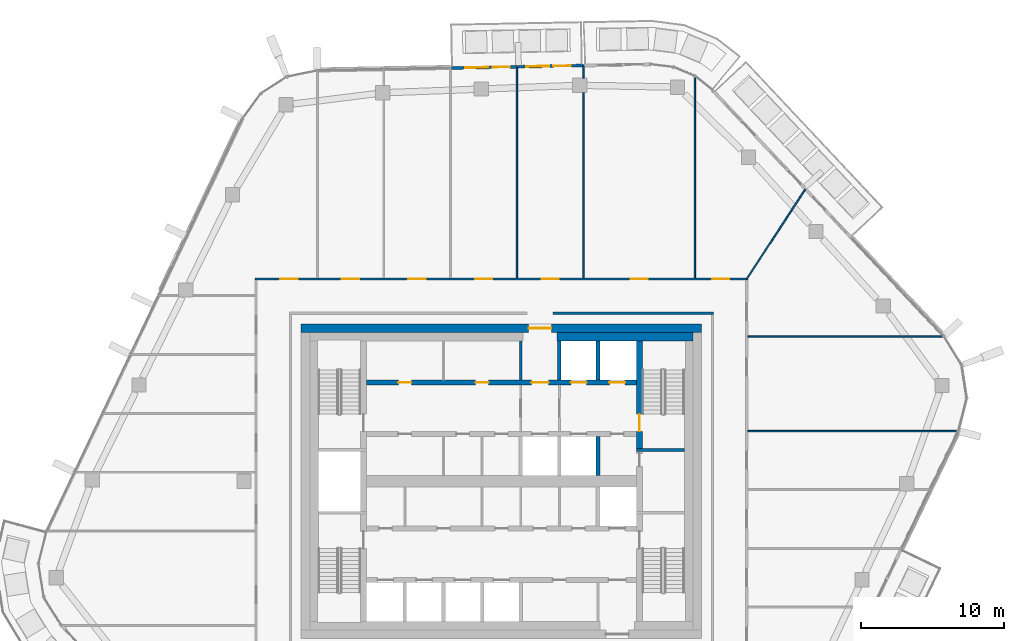
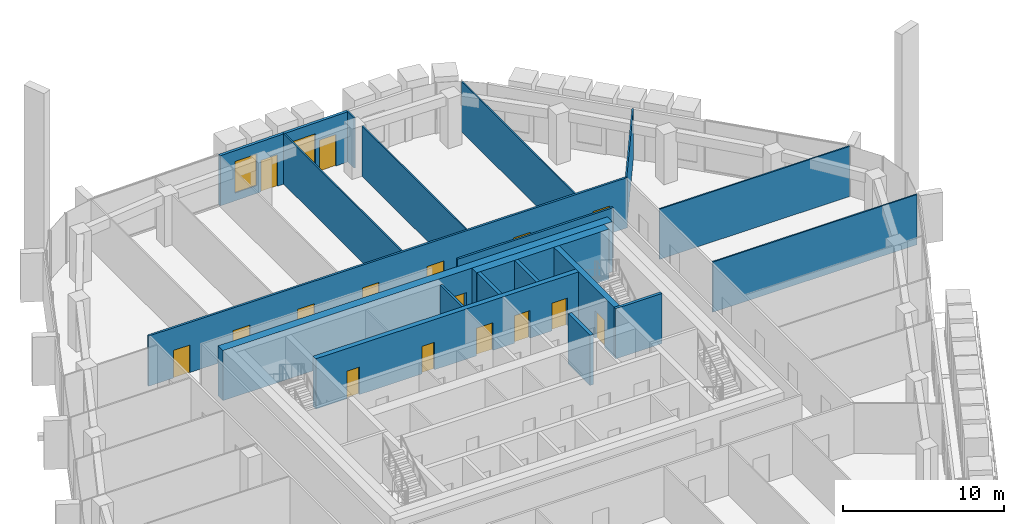
# One storey, part 16 of 24: 19 walls, 16 doors, 2 windows, 18 openings.
"""IFC4 building model written with IfcOpenShell, lengths in metres."""

from ifc_helpers import new_model, si_unit, direction, frame, frame_2d, origin, place, context, subcontext, project, spatial, rectangle, extrude, material, layer, layer_set, type_object, element, fill, save


model = new_model("IFC4")

# Units and contexts
model_context = context("Model", 3, precision=1e-05, world=origin(), true_north=direction((0.0, 1.0)))
body_context = subcontext(model_context, "Body", "Model", "MODEL_VIEW")
ifc_project = project(units=[si_unit("LENGTHUNIT", "METRE"), si_unit("AREAUNIT", "SQUARE_METRE"), si_unit("VOLUMEUNIT", "CUBIC_METRE"), si_unit("PLANEANGLEUNIT", "RADIAN"), si_unit("MASSUNIT", "GRAM", prefix="KILO")], contexts=[model_context])

# Site, building, storey
site_placement = place(None, origin())
site = spatial("IfcSite", under=ifc_project, at=site_placement, CompositionType="ELEMENT")
building_placement = place(site_placement, origin())
building = spatial("IfcBuilding", under=site, at=building_placement, Name="Dongbaek Canopy Tower", CompositionType="ELEMENT")
storey_placement = place(building_placement, frame((0.0, 0.0, 294.199951171875)))
storey = spatial("IfcBuildingStorey", under=building, at=storey_placement, Name="L62", CompositionType="ELEMENT", Elevation=294.199951171875)

# Wall, openings, doors
ifc_material_1 = material(Name="Concrete C60/75", Category="concrete")
ifc_layer_1 = layer(ifc_material_1, 0.35009765625)
ifc_layer_set_1 = layer_set([ifc_layer_1], Name="Core lobby wall 350 Concrete C60/75")
wall_type_1 = type_object("IfcWallType", Name="Core lobby wall 350 Concrete C60/75", PredefinedType="SHEAR", material=ifc_layer_set_1)
wall_1_placement = place(storey_placement, frame((-9.449951171875, 6.89990234375, 0.0), z_axis=(0.0, 0.0, 1.0), x_axis=(1.0, 0.0, 0.0)))
wall_1 = element("IfcWall", 1, at=wall_1_placement, inside=storey, type_object=wall_type_1, Name="Core wall", PredefinedType="SHEAR", context=body_context, shape_type="SweptSolid", body=[
    extrude(rectangle(XDim=18.89990234375, YDim=0.35009765625, at=frame_2d((9.449951171875, 0.0))), origin(), (0.0, 0.0, 1.0), 3.820068359375),
])
opening_1_placement = place(wall_1_placement, frame((11.550048828125, 0.0, 0.0)))
opening_1 = element("IfcOpeningElement", 2, at=opening_1_placement, cuts=wall_1, Name="Opening L62-D028", PredefinedType="OPENING", context=body_context, shape_type="SweptSolid", body=[
    extrude(rectangle(XDim=1.199951171875, YDim=2.10009765625, at=frame_2d((0.60009765625, 1.050048828125))), frame((0.0, 0.18505859375, 0.0), z_axis=(0.0, -1.0, 0.0), x_axis=(1.0, 0.0, 0.0)), (0.0, 0.0, 1.0), 0.3701171875),
])
opening_2_placement = place(wall_1_placement, frame((14.300048828125, 0.0, 0.0)))
opening_2 = element("IfcOpeningElement", 3, at=opening_2_placement, cuts=wall_1, Name="Opening L62-D029", PredefinedType="OPENING", context=body_context, shape_type="SweptSolid", body=[
    extrude(rectangle(XDim=1.10009765625, YDim=2.10009765625, at=frame_2d((0.550048828125, 1.050048828125))), frame((0.0, 0.18505859375, 0.0), z_axis=(0.0, -1.0, 0.0), x_axis=(1.0, 0.0, 0.0)), (0.0, 0.0, 1.0), 0.3701171875),
])
opening_3_placement = place(wall_1_placement, frame((17.0, 0.0, 0.0)))
opening_3 = element("IfcOpeningElement", 4, at=opening_3_placement, cuts=wall_1, Name="Opening L62-D030", PredefinedType="OPENING", context=body_context, shape_type="SweptSolid", body=[
    extrude(rectangle(XDim=1.10009765625, YDim=2.10009765625, at=frame_2d((0.550048828125, 1.050048828125))), frame((0.0, 0.18505859375, 0.0), z_axis=(0.0, -1.0, 0.0), x_axis=(1.0, 0.0, 0.0)), (0.0, 0.0, 1.0), 0.3701171875),
])
opening_4_placement = place(wall_1_placement, frame((2.25, 0.0, 0.0)))
opening_4 = element("IfcOpeningElement", 5, at=opening_4_placement, cuts=wall_1, Name="Opening L62-D041", PredefinedType="OPENING", context=body_context, shape_type="SweptSolid", body=[
    extrude(rectangle(XDim=0.89990234375, YDim=2.10009765625, at=frame_2d((0.449951171875, 1.050048828125))), frame((0.0, 0.18505859375, 0.0), z_axis=(0.0, -1.0, 0.0), x_axis=(1.0, 0.0, 0.0)), (0.0, 0.0, 1.0), 0.3701171875),
])
opening_5_placement = place(wall_1_placement, frame((7.64990234375, 0.0, 0.0)))
opening_5 = element("IfcOpeningElement", 6, at=opening_5_placement, cuts=wall_1, Name="Opening L62-D042", PredefinedType="OPENING", context=body_context, shape_type="SweptSolid", body=[
    extrude(rectangle(XDim=0.89990234375, YDim=2.10009765625, at=frame_2d((0.449951171875, 1.050048828125))), frame((0.0, 0.18505859375, 0.0), z_axis=(0.0, -1.0, 0.0), x_axis=(1.0, 0.0, 0.0)), (0.0, 0.0, 1.0), 0.3701171875),
])
ifc_material_2 = material(Name="Steel", Category="steel")
door_type_1 = type_object("IfcDoorType", Name="Core room door 900 x 2100", OperationType="SINGLE_SWING_LEFT", PredefinedType="DOOR", material=ifc_material_2)
door_1_placement = place(opening_4_placement, origin())
door_1 = element("IfcDoor", 7, at=door_1_placement, inside=storey, type_object=door_type_1, Name="Door L62-D041", OperationType="SINGLE_SWING_RIGHT", OverallHeight=2.10009765625, OverallWidth=0.89990234375, PredefinedType="DOOR", context=body_context, shape_type="SweptSolid", body=[
    extrude(rectangle(XDim=0.89990234375, YDim=2.10009765625, at=frame_2d((0.449951171875, 1.050048828125))), frame((0.0, 0.02490234375, 0.0), z_axis=(0.0, -1.0, 0.0), x_axis=(1.0, 0.0, 0.0)), (0.0, 0.0, 1.0), 0.050048828125),
])
fill(opening_4, door_1)
door_2_placement = place(opening_5_placement, origin())
door_2 = element("IfcDoor", 8, at=door_2_placement, inside=storey, type_object=door_type_1, Name="Door L62-D042", OperationType="SINGLE_SWING_LEFT", OverallHeight=2.10009765625, OverallWidth=0.89990234375, PredefinedType="DOOR", context=body_context, shape_type="SweptSolid", body=[
    extrude(rectangle(XDim=0.89990234375, YDim=2.10009765625, at=frame_2d((0.449951171875, 1.050048828125))), frame((0.0, 0.02490234375, 0.0), z_axis=(0.0, -1.0, 0.0), x_axis=(1.0, 0.0, 0.0)), (0.0, 0.0, 1.0), 0.050048828125),
])
fill(opening_5, door_2)
ifc_material_3 = material(Name="Steel", Category="steel")
door_type_2 = type_object("IfcDoorType", Name="Fire lobby door 1200 x 2100", OperationType="SINGLE_SWING_LEFT", PredefinedType="DOOR", material=ifc_material_3)
door_3_placement = place(opening_1_placement, origin())
door_3 = element("IfcDoor", 9, at=door_3_placement, inside=storey, type_object=door_type_2, Name="Door L62-D028", OperationType="SINGLE_SWING_LEFT", OverallHeight=2.10009765625, OverallWidth=1.199951171875, PredefinedType="DOOR", context=body_context, shape_type="SweptSolid", body=[
    extrude(rectangle(XDim=1.199951171875, YDim=2.10009765625, at=frame_2d((0.60009765625, 1.050048828125))), frame((0.0, 0.02490234375, 0.0), z_axis=(0.0, -1.0, 0.0), x_axis=(1.0, 0.0, 0.0)), (0.0, 0.0, 1.0), 0.050048828125),
])
fill(opening_1, door_3)
ifc_material_4 = material(Name="Stainless steel", Category="steel")
door_type_3 = type_object("IfcDoorType", Name="Lift landing door 1100 x 2100", OperationType="DOUBLE_DOOR_SLIDING", PredefinedType="DOOR", material=ifc_material_4)
door_4_placement = place(opening_2_placement, origin())
door_4 = element("IfcDoor", 10, at=door_4_placement, inside=storey, type_object=door_type_3, Name="Landing door FF1", OperationType="DOUBLE_DOOR_SLIDING", OverallHeight=2.10009765625, OverallWidth=1.10009765625, PredefinedType="DOOR", context=body_context, shape_type="SweptSolid", body=[
    extrude(rectangle(XDim=1.10009765625, YDim=2.10009765625, at=frame_2d((0.550048828125, 1.050048828125))), frame((0.0, 0.02490234375, 0.0), z_axis=(0.0, -1.0, 0.0), x_axis=(1.0, 0.0, 0.0)), (0.0, 0.0, 1.0), 0.050048828125),
])
fill(opening_2, door_4)
door_5_placement = place(opening_3_placement, origin())
door_5 = element("IfcDoor", 11, at=door_5_placement, inside=storey, type_object=door_type_3, Name="Landing door FF2", OperationType="DOUBLE_DOOR_SLIDING", OverallHeight=2.10009765625, OverallWidth=1.10009765625, PredefinedType="DOOR", context=body_context, shape_type="SweptSolid", body=[
    extrude(rectangle(XDim=1.10009765625, YDim=2.10009765625, at=frame_2d((0.550048828125, 1.050048828125))), frame((0.0, 0.02490234375, 0.0), z_axis=(0.0, -1.0, 0.0), x_axis=(1.0, 0.0, 0.0)), (0.0, 0.0, 1.0), 0.050048828125),
])
fill(opening_3, door_5)

# Wall, opening, door
ifc_material_5 = material(Name="Concrete C80/95", Category="concrete")
ifc_layer_2 = layer(ifc_material_5, 0.60009765625)
ifc_layer_set_2 = layer_set([ifc_layer_2], Name="Core outer wall 600 Concrete C80/95")
wall_type_2 = type_object("IfcWallType", Name="Core outer wall 600 Concrete C80/95", PredefinedType="SHEAR", material=ifc_layer_set_2)
wall_2_placement = place(storey_placement, frame((-14.0, 10.699951171875, 0.0), z_axis=(0.0, 0.0, 1.0), x_axis=(1.0, 0.0, 0.0)))
wall_2 = element("IfcWall", 12, at=wall_2_placement, inside=storey, type_object=wall_type_2, Name="Core wall", PredefinedType="SHEAR", context=body_context, shape_type="SweptSolid", body=[
    extrude(rectangle(XDim=28.0, YDim=0.60009765625, at=frame_2d((14.0, 0.0))), origin(), (0.0, 0.0, 1.0), 3.820068359375),
])
opening_6_placement = place(wall_2_placement, frame((15.89990234375, 0.0, 0.0)))
opening_6 = element("IfcOpeningElement", 13, at=opening_6_placement, cuts=wall_2, Name="Opening L62-D027", PredefinedType="OPENING", context=body_context, shape_type="SweptSolid", body=[
    extrude(rectangle(XDim=1.60009765625, YDim=2.10009765625, at=frame_2d((0.800048828125, 1.050048828125))), frame((0.0, 0.31005859375, 0.0), z_axis=(0.0, -1.0, 0.0), x_axis=(1.0, 0.0, 0.0)), (0.0, 0.0, 1.0), 0.6201171875),
])
ifc_material_6 = material(Name="Steel", Category="steel")
door_type_4 = type_object("IfcDoorType", Name="Core exit door 1600 x 2100", OperationType="DOUBLE_DOOR_SINGLE_SWING", PredefinedType="DOOR", material=ifc_material_6)
door_6_placement = place(opening_6_placement, origin())
door_6 = element("IfcDoor", 14, at=door_6_placement, inside=storey, type_object=door_type_4, Name="Core exit door", OperationType="DOUBLE_DOOR_SINGLE_SWING", OverallHeight=2.10009765625, OverallWidth=1.60009765625, PredefinedType="DOOR", context=body_context, shape_type="SweptSolid", body=[
    extrude(rectangle(XDim=1.60009765625, YDim=2.10009765625, at=frame_2d((0.800048828125, 1.050048828125))), frame((0.0, 0.02490234375, 0.0), z_axis=(0.0, -1.0, 0.0), x_axis=(1.0, 0.0, 0.0)), (0.0, 0.0, 1.0), 0.050048828125),
])
fill(opening_6, door_6)

# Walls
ifc_material_7 = material(Name="Concrete C60/75", Category="concrete")
ifc_layer_3 = layer(ifc_material_7, 0.60009765625)
ifc_layer_set_3 = layer_set([ifc_layer_3], Name="Core wall lining 600 Concrete C60/75")
wall_type_3 = type_object("IfcWallType", Name="Core wall lining 600 Concrete C60/75", PredefinedType="SHEAR", material=ifc_layer_set_3)
wall_3_placement = place(storey_placement, frame((3.89990234375, 10.10009765625, 0.0), z_axis=(0.0, 0.0, 1.0), x_axis=(1.0, 0.0, 0.0)))
element("IfcWall", 15, at=wall_3_placement, inside=storey, type_object=wall_type_3, Name="Core wall lining", PredefinedType="SHEAR", context=body_context, shape_type="SweptSolid", body=[
    extrude(rectangle(XDim=9.5, YDim=0.60009765625, at=frame_2d((4.75, 0.0))), origin(), (0.0, 0.0, 1.0), 3.820068359375),
])
ifc_material_8 = material(Name="Gypsum board partition, steel stud, 2 x 15 mm fire board", Category="steel")
ifc_layer_4 = layer(ifc_material_8, 0.14990234375)
ifc_layer_set_4 = layer_set([ifc_layer_4], Name="Fire-rated partition 150 gypsum board")
wall_type_4 = type_object("IfcWallType", Name="Fire-rated partition 150 gypsum board", PredefinedType="PARTITIONING", material=ifc_layer_set_4)
wall_4_placement = place(storey_placement, frame((3.60009765625, 11.75, 0.0), z_axis=(0.0, 0.0, 1.0), x_axis=(1.0, 0.0, 0.0)))
element("IfcWall", 16, at=wall_4_placement, inside=storey, type_object=wall_type_4, Name="Corridor partition", PredefinedType="PARTITIONING", context=body_context, shape_type="SweptSolid", body=[
    extrude(rectangle(XDim=11.224853515625, YDim=0.14990234375, at=frame_2d((5.6123046875, 0.0))), origin(), (0.0, 0.0, 1.0), 3.820068359375),
])

# Wall, openings, doors
wall_5_placement = place(storey_placement, frame((-17.22509765625, 14.14990234375, 0.0), z_axis=(0.0, 0.0, 1.0), x_axis=(1.0, 0.0, 0.0)))
wall_5 = element("IfcWall", 17, at=wall_5_placement, inside=storey, type_object=wall_type_4, Name="Corridor partition", PredefinedType="PARTITIONING", context=body_context, shape_type="SweptSolid", body=[
    extrude(rectangle(XDim=34.4501953125, YDim=0.14990234375, at=frame_2d((17.22509765625, 0.0))), origin(), (0.0, 0.0, 1.0), 3.820068359375),
])
opening_7_placement = place(wall_5_placement, frame((31.9619140625, 0.0, 0.0)))
opening_7 = element("IfcOpeningElement", 18, at=opening_7_placement, cuts=wall_5, Name="Opening L62-D016", PredefinedType="OPENING", context=body_context, shape_type="SweptSolid", body=[
    extrude(rectangle(XDim=1.199951171875, YDim=2.10009765625, at=frame_2d((0.60009765625, 1.050048828125))), frame((0.0, 0.0849609375, 0.0), z_axis=(0.0, -1.0, 0.0), x_axis=(1.0, 0.0, 0.0)), (0.0, 0.0, 1.0), 0.169921875),
])
opening_8_placement = place(wall_5_placement, frame((26.25439453125, 0.0, 0.0)))
opening_8 = element("IfcOpeningElement", 19, at=opening_8_placement, cuts=wall_5, Name="Opening L62-D017", PredefinedType="OPENING", context=body_context, shape_type="SweptSolid", body=[
    extrude(rectangle(XDim=1.199951171875, YDim=2.10009765625, at=frame_2d((0.60009765625, 1.050048828125))), frame((0.0, 0.0849609375, 0.0), z_axis=(0.0, -1.0, 0.0), x_axis=(1.0, 0.0, 0.0)), (0.0, 0.0, 1.0), 0.169921875),
])
opening_9_placement = place(wall_5_placement, frame((20.032470703125, 0.0, 0.0)))
opening_9 = element("IfcOpeningElement", 20, at=opening_9_placement, cuts=wall_5, Name="Opening L62-D018", PredefinedType="OPENING", context=body_context, shape_type="SweptSolid", body=[
    extrude(rectangle(XDim=1.199951171875, YDim=2.10009765625, at=frame_2d((0.60009765625, 1.050048828125))), frame((0.0, 0.0849609375, 0.0), z_axis=(0.0, -1.0, 0.0), x_axis=(1.0, 0.0, 0.0)), (0.0, 0.0, 1.0), 0.169921875),
])
opening_10_placement = place(wall_5_placement, frame((15.377685546875, 0.0, 0.0)))
opening_10 = element("IfcOpeningElement", 21, at=opening_10_placement, cuts=wall_5, Name="Opening L62-D019", PredefinedType="OPENING", context=body_context, shape_type="SweptSolid", body=[
    extrude(rectangle(XDim=1.199951171875, YDim=2.10009765625, at=frame_2d((0.60009765625, 1.050048828125))), frame((0.0, 0.0849609375, 0.0), z_axis=(0.0, -1.0, 0.0), x_axis=(1.0, 0.0, 0.0)), (0.0, 0.0, 1.0), 0.169921875),
])
opening_11_placement = place(wall_5_placement, frame((10.72265625, 0.0, 0.0)))
opening_11 = element("IfcOpeningElement", 22, at=opening_11_placement, cuts=wall_5, Name="Opening L62-D020", PredefinedType="OPENING", context=body_context, shape_type="SweptSolid", body=[
    extrude(rectangle(XDim=1.199951171875, YDim=2.10009765625, at=frame_2d((0.60009765625, 1.050048828125))), frame((0.0, 0.0849609375, 0.0), z_axis=(0.0, -1.0, 0.0), x_axis=(1.0, 0.0, 0.0)), (0.0, 0.0, 1.0), 0.169921875),
])
opening_12_placement = place(wall_5_placement, frame((6.072509765625, 0.0, 0.0)))
opening_12 = element("IfcOpeningElement", 23, at=opening_12_placement, cuts=wall_5, Name="Opening L62-D021", PredefinedType="OPENING", context=body_context, shape_type="SweptSolid", body=[
    extrude(rectangle(XDim=1.199951171875, YDim=2.10009765625, at=frame_2d((0.60009765625, 1.050048828125))), frame((0.0, 0.0849609375, 0.0), z_axis=(0.0, -1.0, 0.0), x_axis=(1.0, 0.0, 0.0)), (0.0, 0.0, 1.0), 0.169921875),
])
opening_13_placement = place(wall_5_placement, frame((1.773681640625, 0.0, 0.0)))
opening_13 = element("IfcOpeningElement", 24, at=opening_13_placement, cuts=wall_5, Name="Opening L62-D022", PredefinedType="OPENING", context=body_context, shape_type="SweptSolid", body=[
    extrude(rectangle(XDim=1.199951171875, YDim=2.10009765625, at=frame_2d((0.60009765625, 1.050048828125))), frame((0.0, 0.0849609375, 0.0), z_axis=(0.0, -1.0, 0.0), x_axis=(1.0, 0.0, 0.0)), (0.0, 0.0, 1.0), 0.169921875),
])
ifc_material_9 = material(Name="Timber veneered door leaf", Category="wood")
door_type_5 = type_object("IfcDoorType", Name="Room door 1200 x 2100", OperationType="SINGLE_SWING_LEFT", PredefinedType="DOOR", material=ifc_material_9)
door_7_placement = place(opening_7_placement, origin())
door_7 = element("IfcDoor", 25, at=door_7_placement, inside=storey, type_object=door_type_5, Name="Door L62-D016", OperationType="SINGLE_SWING_LEFT", OverallHeight=2.10009765625, OverallWidth=1.199951171875, PredefinedType="DOOR", context=body_context, shape_type="SweptSolid", body=[
    extrude(rectangle(XDim=1.199951171875, YDim=2.10009765625, at=frame_2d((0.60009765625, 1.050048828125))), frame((0.0, 0.02490234375, 0.0), z_axis=(0.0, -1.0, 0.0), x_axis=(1.0, 0.0, 0.0)), (0.0, 0.0, 1.0), 0.050048828125),
])
fill(opening_7, door_7)
door_8_placement = place(opening_8_placement, origin())
door_8 = element("IfcDoor", 26, at=door_8_placement, inside=storey, type_object=door_type_5, Name="Door L62-D017", OperationType="SINGLE_SWING_RIGHT", OverallHeight=2.10009765625, OverallWidth=1.199951171875, PredefinedType="DOOR", context=body_context, shape_type="SweptSolid", body=[
    extrude(rectangle(XDim=1.199951171875, YDim=2.10009765625, at=frame_2d((0.60009765625, 1.050048828125))), frame((0.0, 0.02490234375, 0.0), z_axis=(0.0, -1.0, 0.0), x_axis=(1.0, 0.0, 0.0)), (0.0, 0.0, 1.0), 0.050048828125),
])
fill(opening_8, door_8)
door_9_placement = place(opening_9_placement, origin())
door_9 = element("IfcDoor", 27, at=door_9_placement, inside=storey, type_object=door_type_5, Name="Door L62-D018", OperationType="SINGLE_SWING_LEFT", OverallHeight=2.10009765625, OverallWidth=1.199951171875, PredefinedType="DOOR", context=body_context, shape_type="SweptSolid", body=[
    extrude(rectangle(XDim=1.199951171875, YDim=2.10009765625, at=frame_2d((0.60009765625, 1.050048828125))), frame((0.0, 0.02490234375, 0.0), z_axis=(0.0, -1.0, 0.0), x_axis=(1.0, 0.0, 0.0)), (0.0, 0.0, 1.0), 0.050048828125),
])
fill(opening_9, door_9)
door_10_placement = place(opening_10_placement, origin())
door_10 = element("IfcDoor", 28, at=door_10_placement, inside=storey, type_object=door_type_5, Name="Door L62-D019", OperationType="SINGLE_SWING_RIGHT", OverallHeight=2.10009765625, OverallWidth=1.199951171875, PredefinedType="DOOR", context=body_context, shape_type="SweptSolid", body=[
    extrude(rectangle(XDim=1.199951171875, YDim=2.10009765625, at=frame_2d((0.60009765625, 1.050048828125))), frame((0.0, 0.02490234375, 0.0), z_axis=(0.0, -1.0, 0.0), x_axis=(1.0, 0.0, 0.0)), (0.0, 0.0, 1.0), 0.050048828125),
])
fill(opening_10, door_10)
door_11_placement = place(opening_11_placement, origin())
door_11 = element("IfcDoor", 29, at=door_11_placement, inside=storey, type_object=door_type_5, Name="Door L62-D020", OperationType="SINGLE_SWING_LEFT", OverallHeight=2.10009765625, OverallWidth=1.199951171875, PredefinedType="DOOR", context=body_context, shape_type="SweptSolid", body=[
    extrude(rectangle(XDim=1.199951171875, YDim=2.10009765625, at=frame_2d((0.60009765625, 1.050048828125))), frame((0.0, 0.02490234375, 0.0), z_axis=(0.0, -1.0, 0.0), x_axis=(1.0, 0.0, 0.0)), (0.0, 0.0, 1.0), 0.050048828125),
])
fill(opening_11, door_11)
door_12_placement = place(opening_12_placement, origin())
door_12 = element("IfcDoor", 30, at=door_12_placement, inside=storey, type_object=door_type_5, Name="Door L62-D021", OperationType="SINGLE_SWING_RIGHT", OverallHeight=2.10009765625, OverallWidth=1.199951171875, PredefinedType="DOOR", context=body_context, shape_type="SweptSolid", body=[
    extrude(rectangle(XDim=1.199951171875, YDim=2.10009765625, at=frame_2d((0.60009765625, 1.050048828125))), frame((0.0, 0.02490234375, 0.0), z_axis=(0.0, -1.0, 0.0), x_axis=(1.0, 0.0, 0.0)), (0.0, 0.0, 1.0), 0.050048828125),
])
fill(opening_12, door_12)
door_13_placement = place(opening_13_placement, origin())
door_13 = element("IfcDoor", 31, at=door_13_placement, inside=storey, type_object=door_type_5, Name="Door L62-D022", OperationType="SINGLE_SWING_LEFT", OverallHeight=2.10009765625, OverallWidth=1.199951171875, PredefinedType="DOOR", context=body_context, shape_type="SweptSolid", body=[
    extrude(rectangle(XDim=1.199951171875, YDim=2.10009765625, at=frame_2d((0.60009765625, 1.050048828125))), frame((0.0, 0.02490234375, 0.0), z_axis=(0.0, -1.0, 0.0), x_axis=(1.0, 0.0, 0.0)), (0.0, 0.0, 1.0), 0.050048828125),
])
fill(opening_13, door_13)

# Walls
wall_6_placement = place(storey_placement, frame((1.35009765625, 7.074951171875, 0.0), z_axis=(0.0, 0.0, 1.0), x_axis=(0.0, 1.0, 0.0)))
element("IfcWall", 32, at=wall_6_placement, inside=storey, type_object=wall_type_4, Name="Fire lobby partition", PredefinedType="PARTITIONING", context=body_context, shape_type="SweptSolid", body=[
    extrude(rectangle(XDim=2.72509765625, YDim=0.14990234375, at=frame_2d((1.362548828125, 0.0))), origin(), (0.0, 0.0, 1.0), 3.820068359375),
])
ifc_material_10 = material(Name="Concrete C40/50", Category="concrete")
ifc_layer_5 = layer(ifc_material_10, 0.25)
ifc_layer_set_5 = layer_set([ifc_layer_5], Name="Lift shaft wall 250 Concrete C40/50")
wall_type_5 = type_object("IfcWallType", Name="Lift shaft wall 250 Concrete C40/50", PredefinedType="SOLIDWALL", material=ifc_layer_set_5)
for number, where, z_axis, x_axis, name in (
    (33, (6.75, 0.39990234375, 0.0), (0.0, 0.0, 1.0), (0.0, 1.0, 0.0), "Lift shaft wall"),
    (34, (6.75, 7.074951171875, 0.0), (0.0, 0.0, 1.0), (0.0, 1.0, 0.0), "Lift shaft wall"),
    (35, (4.050048828125, 7.074951171875, 0.0), (0.0, 0.0, 1.0), (0.0, 1.0, 0.0), "Lift shaft wall"),
):
    element("IfcWall", number, at=place(storey_placement, frame(where, z_axis=z_axis, x_axis=x_axis)), inside=storey, type_object=wall_type_5, Name=name, PredefinedType="SOLIDWALL", context=body_context, shape_type="SweptSolid", body=[
        extrude(rectangle(XDim=2.72509765625, YDim=0.25, at=frame_2d((1.362548828125, 0.0))), origin(), (0.0, 0.0, 1.0), 3.820068359375),
    ])
ifc_material_11 = material(Name="Gypsum board partition, steel stud, 2 x 12.5 mm board", Category="steel")
ifc_layer_6 = layer(ifc_material_11, 0.10009765625)
ifc_layer_set_6 = layer_set([ifc_layer_6], Name="Partition 100 gypsum board")
wall_type_6 = type_object("IfcWallType", Name="Partition 100 gypsum board", PredefinedType="PARTITIONING", material=ifc_layer_set_6)
wall_7_placement = place(storey_placement, frame((17.22509765625, 3.510986328125, 0.0), z_axis=(0.0, 0.0, 1.0), x_axis=(1.0, 0.0, 0.0)))
element("IfcWall", 36, at=wall_7_placement, inside=storey, type_object=wall_type_6, Name="Partition", PredefinedType="PARTITIONING", context=body_context, shape_type="SweptSolid", body=[
    extrude(rectangle(XDim=14.696044921875, YDim=0.10009765625, at=frame_2d((7.34814453125, 0.0))), origin(), (0.0, 0.0, 1.0), 3.820068359375),
])
wall_8_placement = place(storey_placement, frame((17.22509765625, 10.139892578125, 0.0), z_axis=(0.0, 0.0, 1.0), x_axis=(1.0, 0.0, 0.0)))
element("IfcWall", 37, at=wall_8_placement, inside=storey, type_object=wall_type_6, Name="Partition", PredefinedType="PARTITIONING", context=body_context, shape_type="SweptSolid", body=[
    extrude(rectangle(XDim=13.677490234375, YDim=0.10009765625, at=frame_2d((6.8388671875, 0.0))), origin(), (0.0, 0.0, 1.0), 3.820068359375),
])
wall_9_placement = place(storey_placement, frame((17.150390625, 14.14990234375, 0.0), z_axis=(0.0, 0.0, 1.0), x_axis=(0.547120172247, 0.837054070608, 0.0)))
element("IfcWall", 38, at=wall_9_placement, inside=storey, type_object=wall_type_6, Name="Partition", PredefinedType="PARTITIONING", context=body_context, shape_type="SweptSolid", body=[
    extrude(rectangle(XDim=7.485107421875, YDim=0.10009765625, at=frame_2d((3.74267578125, 0.0))), origin(), (0.0, 0.0, 1.0), 3.820068359375),
])
wall_10_placement = place(storey_placement, frame((13.52392578125, 14.22509765625, 0.0), z_axis=(0.0, 0.0, 1.0), x_axis=(0.0, 1.0, 0.0)))
element("IfcWall", 39, at=wall_10_placement, inside=storey, type_object=wall_type_6, Name="Partition", PredefinedType="PARTITIONING", context=body_context, shape_type="SweptSolid", body=[
    extrude(rectangle(XDim=14.076904296875, YDim=0.10009765625, at=frame_2d((7.03857421875, 0.0))), origin(), (0.0, 0.0, 1.0), 3.820068359375),
])
wall_11_placement = place(storey_placement, frame((5.735107421875, 14.22509765625, 0.0), z_axis=(0.0, 0.0, 1.0), x_axis=(0.0, 1.0, 0.0)))
element("IfcWall", 40, at=wall_11_placement, inside=storey, type_object=wall_type_6, Name="Partition", PredefinedType="PARTITIONING", context=body_context, shape_type="SweptSolid", body=[
    extrude(rectangle(XDim=12.966796875, YDim=0.10009765625, at=frame_2d((6.4833984375, 0.0))), origin(), (0.0, 0.0, 1.0), 3.820068359375),
])
wall_12_placement = place(storey_placement, frame((5.735107421875, 28.19189453125, 0.0), z_axis=(0.0, 0.0, 1.0), x_axis=(0.0, 1.0, 0.0)))
element("IfcWall", 41, at=wall_12_placement, inside=storey, type_object=wall_type_6, Name="Partition", PredefinedType="PARTITIONING", context=body_context, shape_type="SweptSolid", body=[
    extrude(rectangle(XDim=0.86083984375, YDim=0.10009765625, at=frame_2d((0.430419921875, 0.0))), origin(), (0.0, 0.0, 1.0), 3.820068359375),
])
wall_13_placement = place(storey_placement, frame((1.080078125, 14.22509765625, 0.0), z_axis=(0.0, 0.0, 1.0), x_axis=(0.0, 1.0, 0.0)))
element("IfcWall", 42, at=wall_13_placement, inside=storey, type_object=wall_type_6, Name="Partition", PredefinedType="PARTITIONING", context=body_context, shape_type="SweptSolid", body=[
    extrude(rectangle(XDim=14.739501953125, YDim=0.10009765625, at=frame_2d((7.36962890625, 0.0))), origin(), (0.0, 0.0, 1.0), 3.820068359375),
])
ifc_material_12 = material(Name="Concrete C60/75", Category="concrete")
ifc_layer_7 = layer(ifc_material_12, 0.199951171875)
ifc_layer_set_7 = layer_set([ifc_layer_7], Name="Riser wall 200 Concrete C60/75")
wall_type_7 = type_object("IfcWallType", Name="Riser wall 200 Concrete C60/75", PredefinedType="SHEAR", material=ifc_layer_set_7)
wall_14_placement = place(storey_placement, frame((9.449951171875, 2.199951171875, 0.0), z_axis=(0.0, 0.0, 1.0), x_axis=(1.0, 0.0, 0.0)))
element("IfcWall", 43, at=wall_14_placement, inside=storey, type_object=wall_type_7, Name="Riser wall", PredefinedType="SHEAR", context=body_context, shape_type="SweptSolid", body=[
    extrude(rectangle(XDim=3.35009765625, YDim=0.199951171875, at=frame_2d((1.675048828125, 0.0))), origin(), (0.0, 0.0, 1.0), 3.820068359375),
])

# Wall, opening, door
ifc_material_13 = material(Name="Concrete C60/75", Category="concrete")
ifc_layer_8 = layer(ifc_material_13, 0.39990234375)
ifc_layer_set_8 = layer_set([ifc_layer_8], Name="Stair wall 400 Concrete C60/75")
wall_type_8 = type_object("IfcWallType", Name="Stair wall 400 Concrete C60/75", PredefinedType="SHEAR", material=ifc_layer_set_8)
wall_15_placement = place(storey_placement, frame((9.64990234375, 9.800048828125, 0.0), z_axis=(0.0, 0.0, 1.0), x_axis=(0.0, -1.0, 0.0)))
wall_15 = element("IfcWall", 44, at=wall_15_placement, inside=storey, type_object=wall_type_8, Name="Stair wall", PredefinedType="SHEAR", context=body_context, shape_type="SweptSolid", body=[
    extrude(rectangle(XDim=7.5, YDim=0.39990234375, at=frame_2d((3.75, 0.0))), origin(), (0.0, 0.0, 1.0), 3.820068359375),
])
opening_14_placement = place(wall_15_placement, frame((5.10009765625, 0.0, 0.0)))
opening_14 = element("IfcOpeningElement", 45, at=opening_14_placement, cuts=wall_15, Name="Opening L62-D052", PredefinedType="OPENING", context=body_context, shape_type="SweptSolid", body=[
    extrude(rectangle(XDim=1.199951171875, YDim=2.10009765625, at=frame_2d((0.60009765625, 1.050048828125))), frame((0.0, 0.2099609375, 0.0), z_axis=(0.0, -1.0, 0.0), x_axis=(1.0, 0.0, 0.0)), (0.0, 0.0, 1.0), 0.419921875),
])
ifc_material_14 = material(Name="Steel", Category="steel")
door_type_6 = type_object("IfcDoorType", Name="Stair door 1200 x 2100", OperationType="SINGLE_SWING_LEFT", PredefinedType="DOOR", material=ifc_material_14)
door_14_placement = place(opening_14_placement, origin())
door_14 = element("IfcDoor", 46, at=door_14_placement, inside=storey, type_object=door_type_6, Name="Stair A door", OperationType="SINGLE_SWING_LEFT", OverallHeight=2.10009765625, OverallWidth=1.199951171875, PredefinedType="DOOR", context=body_context, shape_type="SweptSolid", body=[
    extrude(rectangle(XDim=1.199951171875, YDim=2.10009765625, at=frame_2d((0.60009765625, 1.050048828125))), frame((0.0, 0.02490234375, 0.0), z_axis=(0.0, -1.0, 0.0), x_axis=(1.0, 0.0, 0.0)), (0.0, 0.0, 1.0), 0.050048828125),
])
fill(opening_14, door_14)

# Wall, openings, doors, windows
ifc_material_15 = material(Name="Aluminium window wall", Category="aluminium")
ifc_layer_9 = layer(ifc_material_15, 0.199951171875)
ifc_layer_set_9 = layer_set([ifc_layer_9], Name="Window wall 200")
wall_type_9 = type_object("IfcWallType", Name="Window wall 200", PredefinedType="SOLIDWALL", material=ifc_layer_set_9)
wall_16_placement = place(storey_placement, frame((5.73486328125, 29.07275390625, 0.0), z_axis=(0.0, 0.0, 1.0), x_axis=(-0.999821300983, -0.01890412918, 0.0)))
wall_16 = element("IfcWall", 47, at=wall_16_placement, inside=storey, type_object=wall_type_9, Name="Window wall L62 2", PredefinedType="SOLIDWALL", context=body_context, shape_type="SweptSolid", body=[
    extrude(rectangle(XDim=9.3115234375, YDim=0.199951171875, at=frame_2d((4.65576171875, 0.0))), origin(), (0.0, 0.0, 1.0), 3.820068359375),
])
opening_15_placement = place(wall_16_placement, frame((2.39990234375, 0.0, 0.60009765625)))
opening_15 = element("IfcOpeningElement", 48, at=opening_15_placement, cuts=wall_16, Name="Opening W1", PredefinedType="OPENING", context=body_context, shape_type="SweptSolid", body=[
    extrude(rectangle(XDim=1.60009765625, YDim=2.39990234375, at=frame_2d((0.800048828125, 1.199951171875))), frame((0.0, 0.10986328125, 0.0), z_axis=(0.0, -1.0, 0.0), x_axis=(1.0, 0.0, 0.0)), (0.0, 0.0, 1.0), 0.219970703125),
])
opening_16_placement = place(wall_16_placement, frame((0.89990234375, 0.0, 0.0)))
opening_16 = element("IfcOpeningElement", 49, at=opening_16_placement, cuts=wall_16, Name="Opening L62-B04", PredefinedType="OPENING", context=body_context, shape_type="SweptSolid", body=[
    extrude(rectangle(XDim=1.199951171875, YDim=2.39990234375, at=frame_2d((0.60009765625, 1.199951171875))), frame((0.0, 0.10986328125, 0.0), z_axis=(0.0, -1.0, 0.0), x_axis=(1.0, 0.0, 0.0)), (0.0, 0.0, 1.0), 0.219970703125),
])
opening_17_placement = place(wall_16_placement, frame((6.65576171875, 0.0, 0.60009765625)))
opening_17 = element("IfcOpeningElement", 50, at=opening_17_placement, cuts=wall_16, Name="Opening W1", PredefinedType="OPENING", context=body_context, shape_type="SweptSolid", body=[
    extrude(rectangle(XDim=1.60009765625, YDim=2.39990234375, at=frame_2d((0.800048828125, 1.199951171875))), frame((0.0, 0.10986328125, 0.0), z_axis=(0.0, -1.0, 0.0), x_axis=(1.0, 0.0, 0.0)), (0.0, 0.0, 1.0), 0.219970703125),
])
opening_18_placement = place(wall_16_placement, frame((5.15576171875, 0.0, 0.0)))
opening_18 = element("IfcOpeningElement", 51, at=opening_18_placement, cuts=wall_16, Name="Opening L62-B05", PredefinedType="OPENING", context=body_context, shape_type="SweptSolid", body=[
    extrude(rectangle(XDim=1.199951171875, YDim=2.39990234375, at=frame_2d((0.60009765625, 1.199951171875))), frame((0.0, 0.10986328125, 0.0), z_axis=(0.0, -1.0, 0.0), x_axis=(1.0, 0.0, 0.0)), (0.0, 0.0, 1.0), 0.219970703125),
])
ifc_material_16 = material(Name="Clear glazing in aluminium frame", Category="aluminium")
door_type_7 = type_object("IfcDoorType", Name="Balcony door BD1 1200 x 2400", OperationType="SLIDING_TO_LEFT", PredefinedType="DOOR", material=ifc_material_16)
door_15_placement = place(opening_16_placement, origin())
door_15 = element("IfcDoor", 52, at=door_15_placement, inside=storey, type_object=door_type_7, Name="Balcony door L62-B04", OperationType="SLIDING_TO_LEFT", OverallHeight=2.39990234375, OverallWidth=1.199951171875, PredefinedType="DOOR", context=body_context, shape_type="SweptSolid", body=[
    extrude(rectangle(XDim=1.199951171875, YDim=2.39990234375, at=frame_2d((0.60009765625, 1.199951171875))), frame((0.0, 0.02490234375, 0.0), z_axis=(0.0, -1.0, 0.0), x_axis=(1.0, 0.0, 0.0)), (0.0, 0.0, 1.0), 0.050048828125),
])
fill(opening_16, door_15)
door_16_placement = place(opening_18_placement, origin())
door_16 = element("IfcDoor", 53, at=door_16_placement, inside=storey, type_object=door_type_7, Name="Balcony door L62-B05", OperationType="SLIDING_TO_LEFT", OverallHeight=2.39990234375, OverallWidth=1.199951171875, PredefinedType="DOOR", context=body_context, shape_type="SweptSolid", body=[
    extrude(rectangle(XDim=1.199951171875, YDim=2.39990234375, at=frame_2d((0.60009765625, 1.199951171875))), frame((0.0, 0.02490234375, 0.0), z_axis=(0.0, -1.0, 0.0), x_axis=(1.0, 0.0, 0.0)), (0.0, 0.0, 1.0), 0.050048828125),
])
fill(opening_18, door_16)
ifc_material_17 = material(Name="Clear glazing in aluminium frame", Category="aluminium")
window_type = type_object("IfcWindowType", Name="Window W1 1600 x 2400", PartitioningType="SINGLE_PANEL", PredefinedType="WINDOW", material=ifc_material_17)
window_1_placement = place(opening_15_placement, origin())
window_1 = element("IfcWindow", 54, at=window_1_placement, inside=storey, type_object=window_type, Name="Window L62 2.1", OverallHeight=2.39990234375, OverallWidth=1.60009765625, PartitioningType="SINGLE_PANEL", PredefinedType="WINDOW", context=body_context, shape_type="SweptSolid", body=[
    extrude(rectangle(XDim=1.60009765625, YDim=2.39990234375, at=frame_2d((0.800048828125, 1.199951171875))), frame((0.0, 0.030029296875, 0.0), z_axis=(0.0, -1.0, 0.0), x_axis=(1.0, 0.0, 0.0)), (0.0, 0.0, 1.0), 0.06005859375),
])
fill(opening_15, window_1)
window_2_placement = place(opening_17_placement, origin())
window_2 = element("IfcWindow", 55, at=window_2_placement, inside=storey, type_object=window_type, Name="Window L62 2.2", OverallHeight=2.39990234375, OverallWidth=1.60009765625, PartitioningType="SINGLE_PANEL", PredefinedType="WINDOW", context=body_context, shape_type="SweptSolid", body=[
    extrude(rectangle(XDim=1.60009765625, YDim=2.39990234375, at=frame_2d((0.800048828125, 1.199951171875))), frame((0.0, 0.030029296875, 0.0), z_axis=(0.0, -1.0, 0.0), x_axis=(1.0, 0.0, 0.0)), (0.0, 0.0, 1.0), 0.06005859375),
])
fill(opening_17, window_2)

save(model, "model.ifc")
